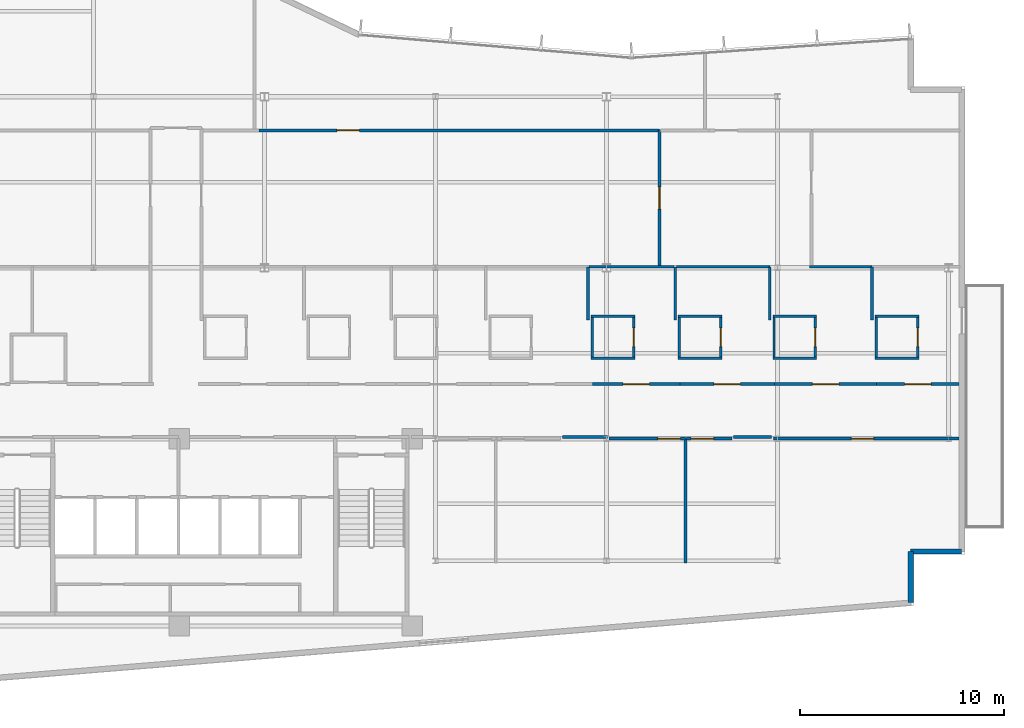
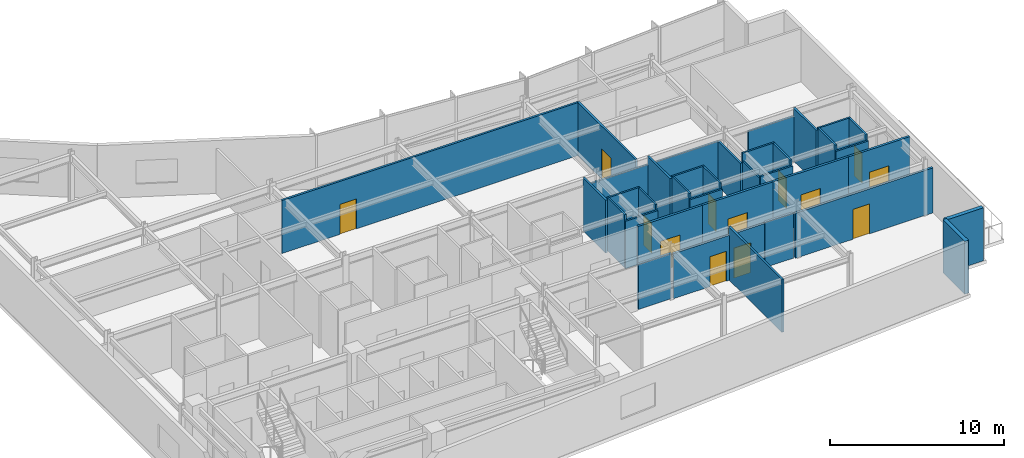
# One storey, part 11 of 15: 37 walls, 13 doors, 13 openings.
"""IFC4 building model written with IfcOpenShell, lengths in metres."""

from ifc_helpers import new_model, si_unit, direction, frame, frame_2d, origin, place, context, subcontext, project, spatial, rectangle, extrude, material, layer, layer_set, type_object, element, fill, save


model = new_model("IFC4")

# Units and contexts
model_context = context("Model", 3, precision=1e-05, world=origin(), true_north=direction((0.0, 1.0)))
body_context = subcontext(model_context, "Body", "Model", "MODEL_VIEW")
ifc_project = project(units=[si_unit("LENGTHUNIT", "METRE"), si_unit("AREAUNIT", "SQUARE_METRE"), si_unit("VOLUMEUNIT", "CUBIC_METRE"), si_unit("PLANEANGLEUNIT", "RADIAN"), si_unit("MASSUNIT", "GRAM", prefix="KILO")], contexts=[model_context])

# Site, building, storey
site_placement = place(None, origin())
site = spatial("IfcSite", under=ifc_project, at=site_placement, CompositionType="ELEMENT")
building_placement = place(site_placement, origin())
building = spatial("IfcBuilding", under=site, at=building_placement, Name="Varnakote Quay Hospital", CompositionType="ELEMENT")
storey_placement = place(building_placement, frame((0.0, 0.0, 192.10009765625)))
storey = spatial("IfcBuildingStorey", under=building, at=storey_placement, Name="L47", CompositionType="ELEMENT", Elevation=192.10009765625)

# Walls
ifc_material_1 = material(Name="Fire-rated acoustic gypsum stud wall", Category="gypsum")
ifc_layer_1 = layer(ifc_material_1, 0.159912109375)
ifc_layer_set_1 = layer_set([ifc_layer_1], Name="Fire-rated acoustic gypsum stud wall")
wall_type_1 = type_object("IfcWallType", Name="WL-COMP-160", PredefinedType="PARTITIONING", material=ifc_layer_set_1)
wall_1_placement = place(storey_placement, frame((31.439208984375, 12.080078125, 0.0), z_axis=(0.0, 0.0, 1.0), x_axis=(1.0, 0.0, 0.0)))
element("IfcWall", 1, at=wall_1_placement, inside=storey, type_object=wall_type_1, Name="L47 Corridor South Gap Wall", PredefinedType="PARTITIONING", context=body_context, shape_type="SweptSolid", body=[
    extrude(rectangle(XDim=2.199462890625, YDim=0.159912109375, at=frame_2d((1.099609375, 0.0))), origin(), (0.0, 0.0, 1.0), 3.15185546875),
])
wall_2_placement = place(storey_placement, frame((39.83935546875, 12.080078125, 0.0), z_axis=(0.0, 0.0, 1.0), x_axis=(1.0, 0.0, 0.0)))
element("IfcWall", 2, at=wall_2_placement, inside=storey, type_object=wall_type_1, Name="L47 Corridor South Gap Wall", PredefinedType="PARTITIONING", context=body_context, shape_type="SweptSolid", body=[
    extrude(rectangle(XDim=1.871337890625, YDim=0.159912109375, at=frame_2d((0.935546875, 0.0))), origin(), (0.0, 0.0, 1.0), 3.15185546875),
])
ifc_material_2 = material(Name="Moisture-resistant bathroom partition", Category="gypsum")
ifc_layer_2 = layer(ifc_material_2, 0.114990234375)
ifc_layer_set_2 = layer_set([ifc_layer_2], Name="Moisture-resistant bathroom partition")
wall_type_2 = type_object("IfcWallType", Name="WL-ENS-115", PredefinedType="PARTITIONING", material=ifc_layer_set_2)
wall_3_placement = place(storey_placement, frame((32.8349609375, 15.952392578125, 0.0), z_axis=(0.0, 0.0, 1.0), x_axis=(1.0, 0.0, 0.0)))
element("IfcWall", 3, at=wall_3_placement, inside=storey, type_object=wall_type_2, Name="L47 Inpatient En-Suite Bathroom 05 S Wall", PredefinedType="PARTITIONING", context=body_context, shape_type="SweptSolid", body=[
    extrude(rectangle(XDim=2.150146484375, YDim=0.114990234375, at=frame_2d((1.0751953125, 0.0))), origin(), (0.0, 0.0, 1.0), 3.328857421875),
])
wall_4_placement = place(storey_placement, frame((32.8349609375, 18.017578125, 0.0), z_axis=(0.0, 0.0, 1.0), x_axis=(1.0, 0.0, 0.0)))
element("IfcWall", 4, at=wall_4_placement, inside=storey, type_object=wall_type_2, Name="L47 Inpatient En-Suite Bathroom 05 N Wall", PredefinedType="PARTITIONING", context=body_context, shape_type="SweptSolid", body=[
    extrude(rectangle(XDim=2.150146484375, YDim=0.114990234375, at=frame_2d((1.0751953125, 0.0))), origin(), (0.0, 0.0, 1.0), 3.7099609375),
])
wall_5_placement = place(storey_placement, frame((32.892578125, 16.010009765625, 0.0), z_axis=(0.0, 0.0, 1.0), x_axis=(0.0, 1.0, 0.0)))
element("IfcWall", 5, at=wall_5_placement, inside=storey, type_object=wall_type_2, Name="L47 Inpatient En-Suite Bathroom 05 W Wall", PredefinedType="PARTITIONING", context=body_context, shape_type="SweptSolid", body=[
    extrude(rectangle(XDim=1.949951171875, YDim=0.114990234375, at=frame_2d((0.97509765625, 0.0))), origin(), (0.0, 0.0, 1.0), 3.7099609375),
])

# Wall, opening, door
wall_6_placement = place(storey_placement, frame((34.927490234375, 16.010009765625, 0.0), z_axis=(0.0, 0.0, 1.0), x_axis=(0.0, 1.0, 0.0)))
wall_6 = element("IfcWall", 6, at=wall_6_placement, inside=storey, type_object=wall_type_2, Name="L47 Inpatient En-Suite Bathroom 05 E Wall", PredefinedType="PARTITIONING", context=body_context, shape_type="SweptSolid", body=[
    extrude(rectangle(XDim=1.949951171875, YDim=0.114990234375, at=frame_2d((0.97509765625, 0.0))), origin(), (0.0, 0.0, 1.0), 3.7099609375),
])
opening_1_placement = place(wall_6_placement, frame((0.514892578125, 0.0, 0.0)))
opening_1 = element("IfcOpeningElement", 7, at=opening_1_placement, cuts=wall_6, Name="Opening D-L47-ENS05", PredefinedType="OPENING", context=body_context, shape_type="SweptSolid", body=[
    extrude(rectangle(XDim=0.919921875, YDim=2.10009765625, at=frame_2d((0.4599609375, 1.050048828125))), frame((0.0, 0.0673828125, 0.0), z_axis=(0.0, -1.0, 0.0), x_axis=(1.0, 0.0, 0.0)), (0.0, 0.0, 1.0), 0.135009765625),
])
ifc_material_3 = material(Name="Moisture-sealed en-suite bathroom door")
door_type_1 = type_object("IfcDoorType", Name="DR-ENS-920x2100", OperationType="NOTDEFINED", PredefinedType="DOOR", material=ifc_material_3)
door_1_placement = place(opening_1_placement, origin())
door_1 = element("IfcDoor", 8, at=door_1_placement, inside=storey, type_object=door_type_1, Name="L47 Inpatient En-Suite Bathroom 05 Door", OperationType="SINGLE_SWING_RIGHT", OverallHeight=2.10009765625, OverallWidth=0.919921875, PredefinedType="DOOR", context=body_context, shape_type="SweptSolid", body=[
    extrude(rectangle(XDim=0.919921875, YDim=2.10009765625, at=frame_2d((0.4599609375, 1.050048828125))), frame((0.0, 0.02490234375, 0.0), z_axis=(0.0, -1.0, 0.0), x_axis=(1.0, 0.0, 0.0)), (0.0, 0.0, 1.0), 0.050048828125),
])
fill(opening_1, door_1)

# Walls
wall_7_placement = place(storey_placement, frame((37.114990234375, 15.952392578125, 0.0), z_axis=(0.0, 0.0, 1.0), x_axis=(1.0, 0.0, 0.0)))
element("IfcWall", 9, at=wall_7_placement, inside=storey, type_object=wall_type_2, Name="L47 Inpatient En-Suite Bathroom 06 S Wall", PredefinedType="PARTITIONING", context=body_context, shape_type="SweptSolid", body=[
    extrude(rectangle(XDim=2.14990234375, YDim=0.114990234375, at=frame_2d((1.074951171875, 0.0))), origin(), (0.0, 0.0, 1.0), 3.328857421875),
])
wall_8_placement = place(storey_placement, frame((37.114990234375, 18.017578125, 0.0), z_axis=(0.0, 0.0, 1.0), x_axis=(1.0, 0.0, 0.0)))
element("IfcWall", 10, at=wall_8_placement, inside=storey, type_object=wall_type_2, Name="L47 Inpatient En-Suite Bathroom 06 N Wall", PredefinedType="PARTITIONING", context=body_context, shape_type="SweptSolid", body=[
    extrude(rectangle(XDim=2.14990234375, YDim=0.114990234375, at=frame_2d((1.074951171875, 0.0))), origin(), (0.0, 0.0, 1.0), 3.7099609375),
])
wall_9_placement = place(storey_placement, frame((37.172607421875, 16.010009765625, 0.0), z_axis=(0.0, 0.0, 1.0), x_axis=(0.0, 1.0, 0.0)))
element("IfcWall", 11, at=wall_9_placement, inside=storey, type_object=wall_type_2, Name="L47 Inpatient En-Suite Bathroom 06 W Wall", PredefinedType="PARTITIONING", context=body_context, shape_type="SweptSolid", body=[
    extrude(rectangle(XDim=1.949951171875, YDim=0.114990234375, at=frame_2d((0.97509765625, 0.0))), origin(), (0.0, 0.0, 1.0), 3.7099609375),
])

# Wall, opening, door
wall_10_placement = place(storey_placement, frame((39.20751953125, 16.010009765625, 0.0), z_axis=(0.0, 0.0, 1.0), x_axis=(0.0, 1.0, 0.0)))
wall_10 = element("IfcWall", 12, at=wall_10_placement, inside=storey, type_object=wall_type_2, Name="L47 Inpatient En-Suite Bathroom 06 E Wall", PredefinedType="PARTITIONING", context=body_context, shape_type="SweptSolid", body=[
    extrude(rectangle(XDim=1.949951171875, YDim=0.114990234375, at=frame_2d((0.97509765625, 0.0))), origin(), (0.0, 0.0, 1.0), 3.7099609375),
])
opening_2_placement = place(wall_10_placement, frame((0.514892578125, 0.0, 0.0)))
opening_2 = element("IfcOpeningElement", 13, at=opening_2_placement, cuts=wall_10, Name="Opening D-L47-ENS06", PredefinedType="OPENING", context=body_context, shape_type="SweptSolid", body=[
    extrude(rectangle(XDim=0.919921875, YDim=2.10009765625, at=frame_2d((0.4599609375, 1.050048828125))), frame((0.0, 0.0673828125, 0.0), z_axis=(0.0, -1.0, 0.0), x_axis=(1.0, 0.0, 0.0)), (0.0, 0.0, 1.0), 0.135009765625),
])
door_2_placement = place(opening_2_placement, origin())
door_2 = element("IfcDoor", 14, at=door_2_placement, inside=storey, type_object=door_type_1, Name="L47 Inpatient En-Suite Bathroom 06 Door", OperationType="SINGLE_SWING_LEFT", OverallHeight=2.10009765625, OverallWidth=0.919921875, PredefinedType="DOOR", context=body_context, shape_type="SweptSolid", body=[
    extrude(rectangle(XDim=0.919921875, YDim=2.10009765625, at=frame_2d((0.4599609375, 1.050048828125))), frame((0.0, 0.02490234375, 0.0), z_axis=(0.0, -1.0, 0.0), x_axis=(1.0, 0.0, 0.0)), (0.0, 0.0, 1.0), 0.050048828125),
])
fill(opening_2, door_2)

# Walls
wall_11_placement = place(storey_placement, frame((41.764892578125, 15.952392578125, 0.0), z_axis=(0.0, 0.0, 1.0), x_axis=(1.0, 0.0, 0.0)))
element("IfcWall", 15, at=wall_11_placement, inside=storey, type_object=wall_type_2, Name="L47 Inpatient En-Suite Bathroom 07 S Wall", PredefinedType="PARTITIONING", context=body_context, shape_type="SweptSolid", body=[
    extrude(rectangle(XDim=2.150146484375, YDim=0.114990234375, at=frame_2d((1.0751953125, 0.0))), origin(), (0.0, 0.0, 1.0), 3.328857421875),
])
wall_12_placement = place(storey_placement, frame((41.764892578125, 18.017578125, 0.0), z_axis=(0.0, 0.0, 1.0), x_axis=(1.0, 0.0, 0.0)))
element("IfcWall", 16, at=wall_12_placement, inside=storey, type_object=wall_type_2, Name="L47 Inpatient En-Suite Bathroom 07 N Wall", PredefinedType="PARTITIONING", context=body_context, shape_type="SweptSolid", body=[
    extrude(rectangle(XDim=2.150146484375, YDim=0.114990234375, at=frame_2d((1.0751953125, 0.0))), origin(), (0.0, 0.0, 1.0), 3.7099609375),
])
wall_13_placement = place(storey_placement, frame((41.822509765625, 16.010009765625, 0.0), z_axis=(0.0, 0.0, 1.0), x_axis=(0.0, 1.0, 0.0)))
element("IfcWall", 17, at=wall_13_placement, inside=storey, type_object=wall_type_2, Name="L47 Inpatient En-Suite Bathroom 07 W Wall", PredefinedType="PARTITIONING", context=body_context, shape_type="SweptSolid", body=[
    extrude(rectangle(XDim=1.949951171875, YDim=0.114990234375, at=frame_2d((0.97509765625, 0.0))), origin(), (0.0, 0.0, 1.0), 3.15185546875),
])

# Wall, opening, door
wall_14_placement = place(storey_placement, frame((43.857421875, 16.010009765625, 0.0), z_axis=(0.0, 0.0, 1.0), x_axis=(0.0, 1.0, 0.0)))
wall_14 = element("IfcWall", 18, at=wall_14_placement, inside=storey, type_object=wall_type_2, Name="L47 Inpatient En-Suite Bathroom 07 E Wall", PredefinedType="PARTITIONING", context=body_context, shape_type="SweptSolid", body=[
    extrude(rectangle(XDim=1.949951171875, YDim=0.114990234375, at=frame_2d((0.97509765625, 0.0))), origin(), (0.0, 0.0, 1.0), 3.7099609375),
])
opening_3_placement = place(wall_14_placement, frame((0.514892578125, 0.0, 0.0)))
opening_3 = element("IfcOpeningElement", 19, at=opening_3_placement, cuts=wall_14, Name="Opening D-L47-ENS07", PredefinedType="OPENING", context=body_context, shape_type="SweptSolid", body=[
    extrude(rectangle(XDim=0.919921875, YDim=2.10009765625, at=frame_2d((0.4599609375, 1.050048828125))), frame((0.0, 0.0673828125, 0.0), z_axis=(0.0, -1.0, 0.0), x_axis=(1.0, 0.0, 0.0)), (0.0, 0.0, 1.0), 0.135009765625),
])
door_3_placement = place(opening_3_placement, origin())
door_3 = element("IfcDoor", 20, at=door_3_placement, inside=storey, type_object=door_type_1, Name="L47 Inpatient En-Suite Bathroom 07 Door", OperationType="SINGLE_SWING_RIGHT", OverallHeight=2.10009765625, OverallWidth=0.919921875, PredefinedType="DOOR", context=body_context, shape_type="SweptSolid", body=[
    extrude(rectangle(XDim=0.919921875, YDim=2.10009765625, at=frame_2d((0.4599609375, 1.050048828125))), frame((0.0, 0.02490234375, 0.0), z_axis=(0.0, -1.0, 0.0), x_axis=(1.0, 0.0, 0.0)), (0.0, 0.0, 1.0), 0.050048828125),
])
fill(opening_3, door_3)

# Walls
wall_15_placement = place(storey_placement, frame((46.784912109375, 15.952392578125, 0.0), z_axis=(0.0, 0.0, 1.0), x_axis=(1.0, 0.0, 0.0)))
element("IfcWall", 21, at=wall_15_placement, inside=storey, type_object=wall_type_2, Name="L47 Inpatient En-Suite Bathroom 08 S Wall", PredefinedType="PARTITIONING", context=body_context, shape_type="SweptSolid", body=[
    extrude(rectangle(XDim=2.150146484375, YDim=0.114990234375, at=frame_2d((1.0751953125, 0.0))), origin(), (0.0, 0.0, 1.0), 3.328857421875),
])
wall_16_placement = place(storey_placement, frame((46.784912109375, 18.017578125, 0.0), z_axis=(0.0, 0.0, 1.0), x_axis=(1.0, 0.0, 0.0)))
element("IfcWall", 22, at=wall_16_placement, inside=storey, type_object=wall_type_2, Name="L47 Inpatient En-Suite Bathroom 08 N Wall", PredefinedType="PARTITIONING", context=body_context, shape_type="SweptSolid", body=[
    extrude(rectangle(XDim=2.150146484375, YDim=0.114990234375, at=frame_2d((1.0751953125, 0.0))), origin(), (0.0, 0.0, 1.0), 3.7099609375),
])
wall_17_placement = place(storey_placement, frame((46.842529296875, 16.010009765625, 0.0), z_axis=(0.0, 0.0, 1.0), x_axis=(0.0, 1.0, 0.0)))
element("IfcWall", 23, at=wall_17_placement, inside=storey, type_object=wall_type_2, Name="L47 Inpatient En-Suite Bathroom 08 W Wall", PredefinedType="PARTITIONING", context=body_context, shape_type="SweptSolid", body=[
    extrude(rectangle(XDim=1.949951171875, YDim=0.114990234375, at=frame_2d((0.97509765625, 0.0))), origin(), (0.0, 0.0, 1.0), 3.7099609375),
])

# Wall, opening, door
wall_18_placement = place(storey_placement, frame((48.87744140625, 16.010009765625, 0.0), z_axis=(0.0, 0.0, 1.0), x_axis=(0.0, 1.0, 0.0)))
wall_18 = element("IfcWall", 24, at=wall_18_placement, inside=storey, type_object=wall_type_2, Name="L47 Inpatient En-Suite Bathroom 08 E Wall", PredefinedType="PARTITIONING", context=body_context, shape_type="SweptSolid", body=[
    extrude(rectangle(XDim=1.949951171875, YDim=0.114990234375, at=frame_2d((0.97509765625, 0.0))), origin(), (0.0, 0.0, 1.0), 3.7099609375),
])
opening_4_placement = place(wall_18_placement, frame((0.514892578125, 0.0, 0.0)))
opening_4 = element("IfcOpeningElement", 25, at=opening_4_placement, cuts=wall_18, Name="Opening D-L47-ENS08", PredefinedType="OPENING", context=body_context, shape_type="SweptSolid", body=[
    extrude(rectangle(XDim=0.919921875, YDim=2.10009765625, at=frame_2d((0.4599609375, 1.050048828125))), frame((0.0, 0.0673828125, 0.0), z_axis=(0.0, -1.0, 0.0), x_axis=(1.0, 0.0, 0.0)), (0.0, 0.0, 1.0), 0.135009765625),
])
door_4_placement = place(opening_4_placement, origin())
door_4 = element("IfcDoor", 26, at=door_4_placement, inside=storey, type_object=door_type_1, Name="L47 Inpatient En-Suite Bathroom 08 Door", OperationType="SINGLE_SWING_LEFT", OverallHeight=2.10009765625, OverallWidth=0.919921875, PredefinedType="DOOR", context=body_context, shape_type="SweptSolid", body=[
    extrude(rectangle(XDim=0.919921875, YDim=2.10009765625, at=frame_2d((0.4599609375, 1.050048828125))), frame((0.0, 0.02490234375, 0.0), z_axis=(0.0, -1.0, 0.0), x_axis=(1.0, 0.0, 0.0)), (0.0, 0.0, 1.0), 0.050048828125),
])
fill(opening_4, door_4)

# Walls
ifc_material_4 = material(Name="Precast concrete N50 (f'c 50 MPa)", Category="concrete")
ifc_layer_3 = layer(ifc_material_4, 0.260009765625)
ifc_layer_set_3 = layer_set([ifc_layer_3], Name="Precast concrete N50 (f'c 50 MPa)")
wall_type_3 = type_object("IfcWallType", Name="WL-EXT-BRICK-260", PredefinedType="STANDARD", material=ifc_layer_set_3)
wall_19_placement = place(storey_placement, frame((48.5400390625, 3.947509765625, 0.0), z_axis=(0.0, 0.0, 1.0), x_axis=(0.0, 1.0, 0.0)))
element("IfcWall", 27, at=wall_19_placement, inside=storey, type_object=wall_type_3, Name="L47 Brick-Faced Precast Exterior Wall", PredefinedType="STANDARD", context=body_context, shape_type="SweptSolid", body=[
    extrude(rectangle(XDim=2.512451171875, YDim=0.260009765625, at=frame_2d((1.25634765625, 0.0))), origin(), (0.0, 0.0, 1.0), 3.7099609375),
])
wall_20_placement = place(storey_placement, frame((48.5400390625, 6.4599609375, 0.0), z_axis=(0.0, 0.0, 1.0), x_axis=(1.0, 0.0, 0.0)))
element("IfcWall", 28, at=wall_20_placement, inside=storey, type_object=wall_type_3, Name="L47 Brick-Faced Precast Exterior Wall", PredefinedType="STANDARD", context=body_context, shape_type="SweptSolid", body=[
    extrude(rectangle(XDim=2.5, YDim=0.260009765625, at=frame_2d((1.25, 0.0))), origin(), (0.0, 0.0, 1.0), 3.7099609375),
])
ifc_material_5 = material(Name="Smoke-proof clinical partition", Category="gypsum")
ifc_layer_4 = layer(ifc_material_5, 0.135009765625)
ifc_layer_set_4 = layer_set([ifc_layer_4], Name="Smoke-proof clinical partition")
wall_type_4 = type_object("IfcWallType", Name="WL-SMOKE-135", PredefinedType="PARTITIONING", material=ifc_layer_set_4)
wall_21_placement = place(storey_placement, frame((37.47998046875, 5.89990234375, 0.0), z_axis=(0.0, 0.0, 1.0), x_axis=(0.0, 1.0, 0.0)))
element("IfcWall", 29, at=wall_21_placement, inside=storey, type_object=wall_type_4, Name="L47 Clinical Interior Partition", PredefinedType="PARTITIONING", context=body_context, shape_type="SweptSolid", body=[
    extrude(rectangle(XDim=6.10009765625, YDim=0.135009765625, at=frame_2d((3.050048828125, 0.0))), origin(), (0.0, 0.0, 1.0), 3.7099609375),
])
for number, where, z_axis, x_axis, name in (
    (30, (32.68994140625, 17.83251953125, 0.0), (0.0, 0.0, 1.0), (0.0, 1.0, 0.0), "L47 Clinical Interior Partition"),
    (31, (36.969970703125, 17.83251953125, 0.0), (0.0, 0.0, 1.0), (0.0, 1.0, 0.0), "L47 Clinical Interior Partition"),
):
    element("IfcWall", number, at=place(storey_placement, frame(where, z_axis=z_axis, x_axis=x_axis)), inside=storey, type_object=wall_type_4, Name=name, PredefinedType="PARTITIONING", context=body_context, shape_type="SweptSolid", body=[
        extrude(rectangle(XDim=2.607421875, YDim=0.135009765625, at=frame_2d((1.3037109375, 0.0))), origin(), (0.0, 0.0, 1.0), 3.7099609375),
    ])
wall_22_placement = place(storey_placement, frame((36.91259765625, 20.43994140625, 0.0), z_axis=(0.0, 0.0, 1.0), x_axis=(-1.0, 0.0, 0.0)))
element("IfcWall", 32, at=wall_22_placement, inside=storey, type_object=wall_type_4, Name="L47 Clinical Interior Partition", PredefinedType="PARTITIONING", context=body_context, shape_type="SweptSolid", body=[
    extrude(rectangle(XDim=4.1650390625, YDim=0.135009765625, at=frame_2d((2.08251953125, 0.0))), origin(), (0.0, 0.0, 1.0), 3.15185546875),
])
wall_23_placement = place(storey_placement, frame((41.6201171875, 17.83251953125, 0.0), z_axis=(0.0, 0.0, 1.0), x_axis=(0.0, 1.0, 0.0)))
element("IfcWall", 33, at=wall_23_placement, inside=storey, type_object=wall_type_4, Name="L47 Clinical Interior Partition", PredefinedType="PARTITIONING", context=body_context, shape_type="SweptSolid", body=[
    extrude(rectangle(XDim=2.607421875, YDim=0.135009765625, at=frame_2d((1.3037109375, 0.0))), origin(), (0.0, 0.0, 1.0), 3.15185546875),
])
wall_24_placement = place(storey_placement, frame((41.6201171875, 20.43994140625, 0.0), z_axis=(0.0, 0.0, 1.0), x_axis=(-1.0, 0.0, 0.0)))
element("IfcWall", 34, at=wall_24_placement, inside=storey, type_object=wall_type_4, Name="L47 Clinical Interior Partition", PredefinedType="PARTITIONING", context=body_context, shape_type="SweptSolid", body=[
    extrude(rectangle(XDim=4.592529296875, YDim=0.135009765625, at=frame_2d((2.29638671875, 0.0))), origin(), (0.0, 0.0, 1.0), 3.15185546875),
])
wall_25_placement = place(storey_placement, frame((46.639892578125, 17.83251953125, 0.0), z_axis=(0.0, 0.0, 1.0), x_axis=(0.0, 1.0, 0.0)))
element("IfcWall", 35, at=wall_25_placement, inside=storey, type_object=wall_type_4, Name="L47 Clinical Interior Partition", PredefinedType="PARTITIONING", context=body_context, shape_type="SweptSolid", body=[
    extrude(rectangle(XDim=2.607421875, YDim=0.135009765625, at=frame_2d((1.3037109375, 0.0))), origin(), (0.0, 0.0, 1.0), 3.7099609375),
])
wall_26_placement = place(storey_placement, frame((46.639892578125, 20.43994140625, 0.0), z_axis=(0.0, 0.0, 1.0), x_axis=(-1.0, 0.0, 0.0)))
element("IfcWall", 36, at=wall_26_placement, inside=storey, type_object=wall_type_4, Name="L47 Clinical Interior Partition", PredefinedType="PARTITIONING", context=body_context, shape_type="SweptSolid", body=[
    extrude(rectangle(XDim=3.0673828125, YDim=0.135009765625, at=frame_2d((1.53369140625, 0.0))), origin(), (0.0, 0.0, 1.0), 3.15185546875),
])

# Wall, opening, door
wall_27_placement = place(storey_placement, frame((36.199951171875, 20.49755859375, 0.0), z_axis=(0.0, 0.0, 1.0), x_axis=(0.0, 1.0, 0.0)))
wall_27 = element("IfcWall", 37, at=wall_27_placement, inside=storey, type_object=wall_type_4, Name="L47 Clinical Interior Partition", PredefinedType="PARTITIONING", context=body_context, shape_type="SweptSolid", body=[
    extrude(rectangle(XDim=6.642333984375, YDim=0.135009765625, at=frame_2d((3.3212890625, 0.0))), origin(), (0.0, 0.0, 1.0), 3.7099609375),
])
opening_5_placement = place(wall_27_placement, frame((2.771240234375, 0.0, 0.0)))
opening_5 = element("IfcOpeningElement", 38, at=opening_5_placement, cuts=wall_27, Name="Opening D-L47-DLNG", PredefinedType="OPENING", context=body_context, shape_type="SweptSolid", body=[
    extrude(rectangle(XDim=1.10009765625, YDim=2.10009765625, at=frame_2d((0.550048828125, 1.050048828125))), frame((0.0, 0.077392578125, 0.0), z_axis=(0.0, -1.0, 0.0), x_axis=(1.0, 0.0, 0.0)), (0.0, 0.0, 1.0), 0.155029296875),
])
ifc_material_6 = material(Name="Acoustic timber clinical consult door", Category="wood")
door_type_2 = type_object("IfcDoorType", Name="DR-CLIN-FD30S-1100x2100", OperationType="NOTDEFINED", PredefinedType="DOOR", material=ifc_material_6)
door_5_placement = place(opening_5_placement, origin())
door_5 = element("IfcDoor", 39, at=door_5_placement, inside=storey, type_object=door_type_2, Name="L47 Waterfront Patient & Family Dayroom Door", OperationType="SINGLE_SWING_RIGHT", OverallHeight=2.10009765625, OverallWidth=1.10009765625, PredefinedType="DOOR", context=body_context, shape_type="SweptSolid", body=[
    extrude(rectangle(XDim=1.10009765625, YDim=2.10009765625, at=frame_2d((0.550048828125, 1.050048828125))), frame((0.0, 0.02490234375, 0.0), z_axis=(0.0, -1.0, 0.0), x_axis=(1.0, 0.0, 0.0)), (0.0, 0.0, 1.0), 0.050048828125),
])
fill(opening_5, door_5)

wall_28_placement = place(storey_placement, frame((36.199951171875, 27.139892578125, 0.0), z_axis=(0.0, 0.0, 1.0), x_axis=(-1.0, 0.0, 0.0)))
wall_28 = element("IfcWall", 40, at=wall_28_placement, inside=storey, type_object=wall_type_4, Name="L47 Clinical Interior Partition", PredefinedType="PARTITIONING", context=body_context, shape_type="SweptSolid", body=[
    extrude(rectangle(XDim=19.680419921875, YDim=0.135009765625, at=frame_2d((9.84033203125, 0.0))), origin(), (0.0, 0.0, 1.0), 3.7099609375),
])
opening_6_placement = place(wall_28_placement, frame((14.744384765625, 0.0, 0.0)))
opening_6 = element("IfcOpeningElement", 41, at=opening_6_placement, cuts=wall_28, Name="Opening D-L47-MD06", PredefinedType="OPENING", context=body_context, shape_type="SweptSolid", body=[
    extrude(rectangle(XDim=1.10009765625, YDim=2.10009765625, at=frame_2d((0.550048828125, 1.050048828125))), frame((0.0, 0.077392578125, 0.0), z_axis=(0.0, -1.0, 0.0), x_axis=(1.0, 0.0, 0.0)), (0.0, 0.0, 1.0), 0.155029296875),
])
door_6_placement = place(opening_6_placement, origin())
door_6 = element("IfcDoor", 42, at=door_6_placement, inside=storey, type_object=door_type_2, Name="L47 Cardiology Telemetry Treatment Suite Door", OperationType="SINGLE_SWING_LEFT", OverallHeight=2.10009765625, OverallWidth=1.10009765625, PredefinedType="DOOR", context=body_context, shape_type="SweptSolid", body=[
    extrude(rectangle(XDim=1.10009765625, YDim=2.10009765625, at=frame_2d((0.550048828125, 1.050048828125))), frame((0.0, 0.02490234375, 0.0), z_axis=(0.0, -1.0, 0.0), x_axis=(1.0, 0.0, 0.0)), (0.0, 0.0, 1.0), 0.050048828125),
])
fill(opening_6, door_6)

ifc_material_7 = material(Name="Fire-rated clinical gypsum partition", Category="gypsum")
ifc_layer_5 = layer(ifc_material_7, 0.14990234375)
ifc_layer_set_5 = layer_set([ifc_layer_5], Name="Fire-rated clinical gypsum partition")
wall_type_5 = type_object("IfcWallType", Name="WL-WARD-150", PredefinedType="PARTITIONING", material=ifc_layer_set_5)
wall_29_placement = place(storey_placement, frame((37.47998046875, 12.0, 0.0), z_axis=(0.0, 0.0, 1.0), x_axis=(-1.0, 0.0, 0.0)))
wall_29 = element("IfcWall", 43, at=wall_29_placement, inside=storey, type_object=wall_type_5, Name="L47 Clinical Interior Partition", PredefinedType="PARTITIONING", context=body_context, shape_type="SweptSolid", body=[
    extrude(rectangle(XDim=3.751953125, YDim=0.14990234375, at=frame_2d((1.8759765625, 0.0))), origin(), (0.0, 0.0, 1.0), 3.15185546875),
])
opening_7_placement = place(wall_29_placement, frame((0.25634765625, 0.0, 0.0)))
opening_7 = element("IfcOpeningElement", 44, at=opening_7_placement, cuts=wall_29, Name="Opening D-L47-RM1", PredefinedType="OPENING", context=body_context, shape_type="SweptSolid", body=[
    extrude(rectangle(XDim=1.10009765625, YDim=2.10009765625, at=frame_2d((0.550048828125, 1.050048828125))), frame((0.0, 0.0849609375, 0.0), z_axis=(0.0, -1.0, 0.0), x_axis=(1.0, 0.0, 0.0)), (0.0, 0.0, 1.0), 0.169921875),
])
door_7_placement = place(opening_7_placement, origin())
door_7 = element("IfcDoor", 45, at=door_7_placement, inside=storey, type_object=door_type_2, Name="L47 Cardiac Telemetry Treatment Suite Door", OperationType="SINGLE_SWING_RIGHT", OverallHeight=2.10009765625, OverallWidth=1.10009765625, PredefinedType="DOOR", context=body_context, shape_type="SweptSolid", body=[
    extrude(rectangle(XDim=1.10009765625, YDim=2.10009765625, at=frame_2d((0.550048828125, 1.050048828125))), frame((0.0, 0.02490234375, 0.0), z_axis=(0.0, -1.0, 0.0), x_axis=(1.0, 0.0, 0.0)), (0.0, 0.0, 1.0), 0.050048828125),
])
fill(opening_7, door_7)

wall_30_placement = place(storey_placement, frame((39.75, 12.0, 0.0), z_axis=(0.0, 0.0, 1.0), x_axis=(-1.0, 0.0, 0.0)))
wall_30 = element("IfcWall", 46, at=wall_30_placement, inside=storey, type_object=wall_type_5, Name="L47 Clinical Interior Partition", PredefinedType="PARTITIONING", context=body_context, shape_type="SweptSolid", body=[
    extrude(rectangle(XDim=2.21240234375, YDim=0.14990234375, at=frame_2d((1.106201171875, 0.0))), origin(), (0.0, 0.0, 1.0), 3.15185546875),
])
opening_8_placement = place(wall_30_placement, frame((0.894775390625, 0.0, 0.0)))
opening_8 = element("IfcOpeningElement", 47, at=opening_8_placement, cuts=wall_30, Name="Opening D-L47-RM2", PredefinedType="OPENING", context=body_context, shape_type="SweptSolid", body=[
    extrude(rectangle(XDim=1.10009765625, YDim=2.10009765625, at=frame_2d((0.550048828125, 1.050048828125))), frame((0.0, 0.0849609375, 0.0), z_axis=(0.0, -1.0, 0.0), x_axis=(1.0, 0.0, 0.0)), (0.0, 0.0, 1.0), 0.169921875),
])
door_8_placement = place(opening_8_placement, origin())
door_8 = element("IfcDoor", 48, at=door_8_placement, inside=storey, type_object=door_type_2, Name="L47 Vascular Diagnostics Office Door", OperationType="SINGLE_SWING_LEFT", OverallHeight=2.10009765625, OverallWidth=1.10009765625, PredefinedType="DOOR", context=body_context, shape_type="SweptSolid", body=[
    extrude(rectangle(XDim=1.10009765625, YDim=2.10009765625, at=frame_2d((0.550048828125, 1.050048828125))), frame((0.0, 0.02490234375, 0.0), z_axis=(0.0, -1.0, 0.0), x_axis=(1.0, 0.0, 0.0)), (0.0, 0.0, 1.0), 0.050048828125),
])
fill(opening_8, door_8)

wall_31_placement = place(storey_placement, frame((50.919921875, 12.0, 0.0), z_axis=(0.0, 0.0, 1.0), x_axis=(-1.0, 0.0, 0.0)))
wall_31 = element("IfcWall", 49, at=wall_31_placement, inside=storey, type_object=wall_type_5, Name="L47 Clinical Interior Partition", PredefinedType="PARTITIONING", context=body_context, shape_type="SweptSolid", body=[
    extrude(rectangle(XDim=9.119873046875, YDim=0.14990234375, at=frame_2d((4.56005859375, 0.0))), origin(), (0.0, 0.0, 1.0), 3.15185546875),
])
opening_9_placement = place(wall_31_placement, frame((4.200439453125, 0.0, 0.0)))
opening_9 = element("IfcOpeningElement", 50, at=opening_9_placement, cuts=wall_31, Name="Opening D-L47-SE1", PredefinedType="OPENING", context=body_context, shape_type="SweptSolid", body=[
    extrude(rectangle(XDim=1.10009765625, YDim=2.10009765625, at=frame_2d((0.550048828125, 1.050048828125))), frame((0.0, 0.0849609375, 0.0), z_axis=(0.0, -1.0, 0.0), x_axis=(1.0, 0.0, 0.0)), (0.0, 0.0, 1.0), 0.169921875),
])
door_9_placement = place(opening_9_placement, origin())
door_9 = element("IfcDoor", 51, at=door_9_placement, inside=storey, type_object=door_type_2, Name="L47 Clinical Biomedical Engineering Office Door", OperationType="SINGLE_SWING_RIGHT", OverallHeight=2.10009765625, OverallWidth=1.10009765625, PredefinedType="DOOR", context=body_context, shape_type="SweptSolid", body=[
    extrude(rectangle(XDim=1.10009765625, YDim=2.10009765625, at=frame_2d((0.550048828125, 1.050048828125))), frame((0.0, 0.02490234375, 0.0), z_axis=(0.0, -1.0, 0.0), x_axis=(1.0, 0.0, 0.0)), (0.0, 0.0, 1.0), 0.050048828125),
])
fill(opening_9, door_9)

wall_32_placement = place(storey_placement, frame((37.196044921875, 14.679931640625, 0.0), z_axis=(0.0, 0.0, 1.0), x_axis=(-1.0, 0.0, 0.0)))
wall_32 = element("IfcWall", 52, at=wall_32_placement, inside=storey, type_object=wall_type_5, Name="L47 Clinical Interior Partition", PredefinedType="PARTITIONING", context=body_context, shape_type="SweptSolid", body=[
    extrude(rectangle(XDim=4.278076171875, YDim=0.14990234375, at=frame_2d((2.13916015625, 0.0))), origin(), (0.0, 0.0, 1.0), 3.7099609375),
])
opening_10_placement = place(wall_32_placement, frame((1.489013671875, 0.0, 0.0)))
opening_10 = element("IfcOpeningElement", 53, at=opening_10_placement, cuts=wall_32, Name="Opening D-L47-BR05", PredefinedType="OPENING", context=body_context, shape_type="SweptSolid", body=[
    extrude(rectangle(XDim=1.300048828125, YDim=2.14990234375, at=frame_2d((0.64990234375, 1.074951171875))), frame((0.0, 0.0849609375, 0.0), z_axis=(0.0, -1.0, 0.0), x_axis=(1.0, 0.0, 0.0)), (0.0, 0.0, 1.0), 0.169921875),
])
ifc_material_8 = material(Name="Solid-core timber clinical bed door", Category="wood")
door_type_3 = type_object("IfcDoorType", Name="DR-WARD-FD30S-1300x2150", OperationType="NOTDEFINED", PredefinedType="DOOR", material=ifc_material_8)
door_10_placement = place(opening_10_placement, origin())
door_10 = element("IfcDoor", 54, at=door_10_placement, inside=storey, type_object=door_type_3, Name="L47 Resident Care Bedroom 05 Door", OperationType="SINGLE_SWING_LEFT", OverallHeight=2.14990234375, OverallWidth=1.300048828125, PredefinedType="DOOR", context=body_context, shape_type="SweptSolid", body=[
    extrude(rectangle(XDim=1.300048828125, YDim=2.14990234375, at=frame_2d((0.64990234375, 1.074951171875))), frame((0.0, 0.02490234375, 0.0), z_axis=(0.0, -1.0, 0.0), x_axis=(1.0, 0.0, 0.0)), (0.0, 0.0, 1.0), 0.050048828125),
])
fill(opening_10, door_10)

wall_33_placement = place(storey_placement, frame((41.845947265625, 14.679931640625, 0.0), z_axis=(0.0, 0.0, 1.0), x_axis=(-1.0, 0.0, 0.0)))
wall_33 = element("IfcWall", 55, at=wall_33_placement, inside=storey, type_object=wall_type_5, Name="L47 Clinical Interior Partition", PredefinedType="PARTITIONING", context=body_context, shape_type="SweptSolid", body=[
    extrude(rectangle(XDim=4.64794921875, YDim=0.14990234375, at=frame_2d((2.323974609375, 0.0))), origin(), (0.0, 0.0, 1.0), 3.7099609375),
])
opening_11_placement = place(wall_33_placement, frame((1.674072265625, 0.0, 0.0)))
opening_11 = element("IfcOpeningElement", 56, at=opening_11_placement, cuts=wall_33, Name="Opening D-L47-BR06", PredefinedType="OPENING", context=body_context, shape_type="SweptSolid", body=[
    extrude(rectangle(XDim=1.300048828125, YDim=2.14990234375, at=frame_2d((0.64990234375, 1.074951171875))), frame((0.0, 0.0849609375, 0.0), z_axis=(0.0, -1.0, 0.0), x_axis=(1.0, 0.0, 0.0)), (0.0, 0.0, 1.0), 0.169921875),
])
door_11_placement = place(opening_11_placement, origin())
door_11 = element("IfcDoor", 57, at=door_11_placement, inside=storey, type_object=door_type_3, Name="L47 Resident Care Bedroom 06 Door", OperationType="SINGLE_SWING_RIGHT", OverallHeight=2.14990234375, OverallWidth=1.300048828125, PredefinedType="DOOR", context=body_context, shape_type="SweptSolid", body=[
    extrude(rectangle(XDim=1.300048828125, YDim=2.14990234375, at=frame_2d((0.64990234375, 1.074951171875))), frame((0.0, 0.02490234375, 0.0), z_axis=(0.0, -1.0, 0.0), x_axis=(1.0, 0.0, 0.0)), (0.0, 0.0, 1.0), 0.050048828125),
])
fill(opening_11, door_11)

wall_34_placement = place(storey_placement, frame((46.865966796875, 14.679931640625, 0.0), z_axis=(0.0, 0.0, 1.0), x_axis=(-1.0, 0.0, 0.0)))
wall_34 = element("IfcWall", 58, at=wall_34_placement, inside=storey, type_object=wall_type_5, Name="L47 Clinical Interior Partition", PredefinedType="PARTITIONING", context=body_context, shape_type="SweptSolid", body=[
    extrude(rectangle(XDim=5.01806640625, YDim=0.14990234375, at=frame_2d((2.509033203125, 0.0))), origin(), (0.0, 0.0, 1.0), 3.7099609375),
])
opening_12_placement = place(wall_34_placement, frame((1.85888671875, 0.0, 0.0)))
opening_12 = element("IfcOpeningElement", 59, at=opening_12_placement, cuts=wall_34, Name="Opening D-L47-BR07", PredefinedType="OPENING", context=body_context, shape_type="SweptSolid", body=[
    extrude(rectangle(XDim=1.300048828125, YDim=2.14990234375, at=frame_2d((0.64990234375, 1.074951171875))), frame((0.0, 0.0849609375, 0.0), z_axis=(0.0, -1.0, 0.0), x_axis=(1.0, 0.0, 0.0)), (0.0, 0.0, 1.0), 0.169921875),
])
door_12_placement = place(opening_12_placement, origin())
door_12 = element("IfcDoor", 60, at=door_12_placement, inside=storey, type_object=door_type_3, Name="L47 Resident Care Bedroom 07 Door", OperationType="SINGLE_SWING_LEFT", OverallHeight=2.14990234375, OverallWidth=1.300048828125, PredefinedType="DOOR", context=body_context, shape_type="SweptSolid", body=[
    extrude(rectangle(XDim=1.300048828125, YDim=2.14990234375, at=frame_2d((0.64990234375, 1.074951171875))), frame((0.0, 0.02490234375, 0.0), z_axis=(0.0, -1.0, 0.0), x_axis=(1.0, 0.0, 0.0)), (0.0, 0.0, 1.0), 0.050048828125),
])
fill(opening_12, door_12)

wall_35_placement = place(storey_placement, frame((50.919921875, 14.679931640625, 0.0), z_axis=(0.0, 0.0, 1.0), x_axis=(-1.0, 0.0, 0.0)))
wall_35 = element("IfcWall", 61, at=wall_35_placement, inside=storey, type_object=wall_type_5, Name="L47 Clinical Interior Partition", PredefinedType="PARTITIONING", context=body_context, shape_type="SweptSolid", body=[
    extrude(rectangle(XDim=4.052001953125, YDim=0.14990234375, at=frame_2d((2.02587890625, 0.0))), origin(), (0.0, 0.0, 1.0), 3.7099609375),
])
opening_13_placement = place(wall_35_placement, frame((1.3759765625, 0.0, 0.0)))
opening_13 = element("IfcOpeningElement", 62, at=opening_13_placement, cuts=wall_35, Name="Opening D-L47-BR08", PredefinedType="OPENING", context=body_context, shape_type="SweptSolid", body=[
    extrude(rectangle(XDim=1.300048828125, YDim=2.14990234375, at=frame_2d((0.64990234375, 1.074951171875))), frame((0.0, 0.0849609375, 0.0), z_axis=(0.0, -1.0, 0.0), x_axis=(1.0, 0.0, 0.0)), (0.0, 0.0, 1.0), 0.169921875),
])
door_13_placement = place(opening_13_placement, origin())
door_13 = element("IfcDoor", 63, at=door_13_placement, inside=storey, type_object=door_type_3, Name="L47 Resident Care Bedroom 08 Door", OperationType="SINGLE_SWING_RIGHT", OverallHeight=2.14990234375, OverallWidth=1.300048828125, PredefinedType="DOOR", context=body_context, shape_type="SweptSolid", body=[
    extrude(rectangle(XDim=1.300048828125, YDim=2.14990234375, at=frame_2d((0.64990234375, 1.074951171875))), frame((0.0, 0.02490234375, 0.0), z_axis=(0.0, -1.0, 0.0), x_axis=(1.0, 0.0, 0.0)), (0.0, 0.0, 1.0), 0.050048828125),
])
fill(opening_13, door_13)

save(model, "model.ifc")
